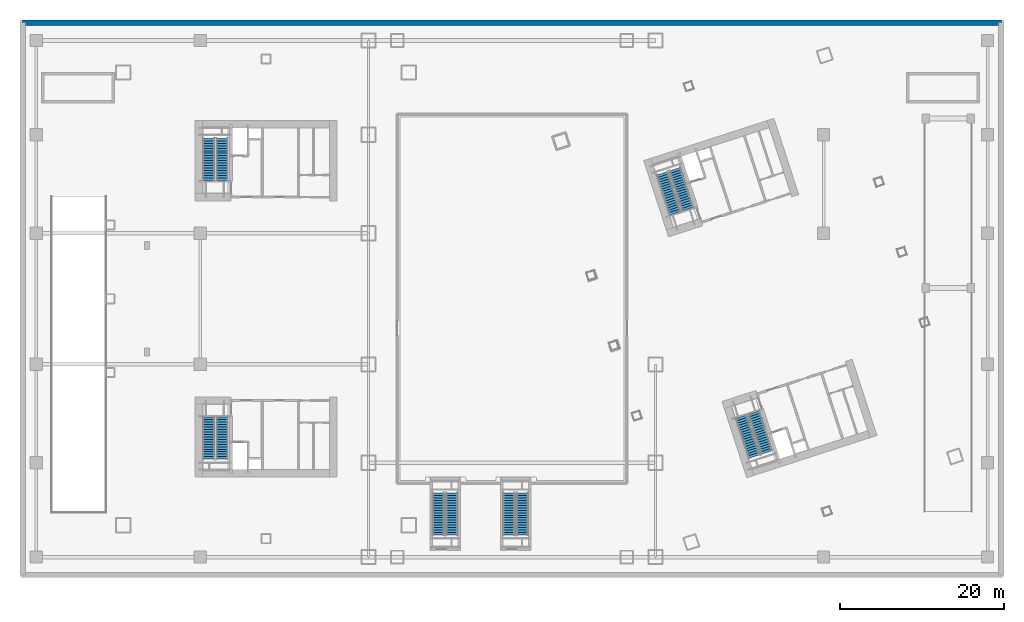
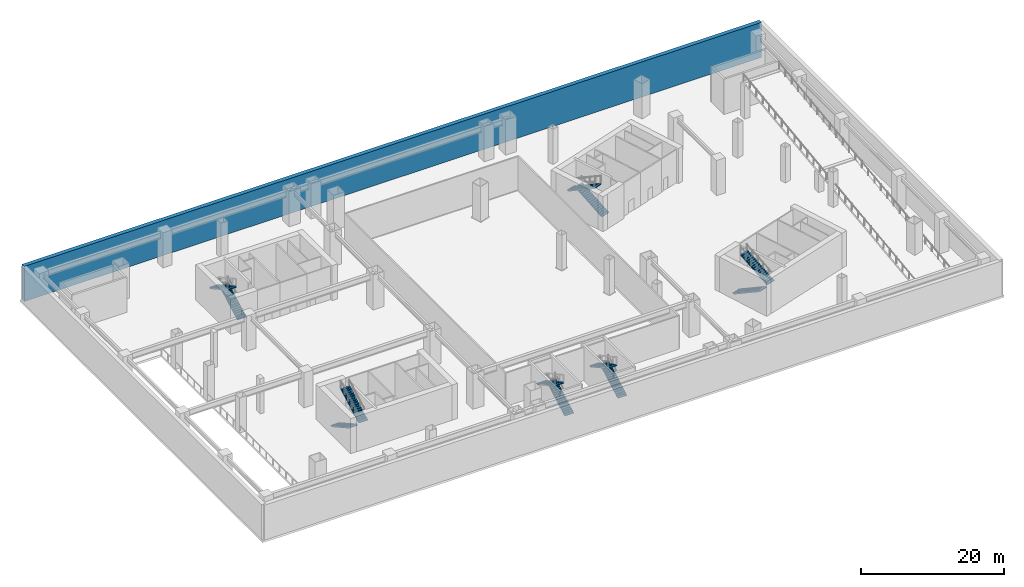
# One storey, part 11 of 20: 12 stair flights, 1 wall, 6 elements without a shape of their own.
"""IFC4 building model written with IfcOpenShell, lengths in metres."""

from ifc_helpers import new_model, si_unit, direction, frame, frame_2d, origin, place, context, subcontext, project, spatial, polyline, rectangle, outline, extrude, material, layer, layer_set, type_object, element, aggregate, save


model = new_model("IFC4")

# Units and contexts
model_context = context("Model", 3, precision=1e-05, world=origin(), true_north=direction((0.0, 1.0)))
body_context = subcontext(model_context, "Body", "Model", "MODEL_VIEW")
ifc_project = project(units=[si_unit("LENGTHUNIT", "METRE"), si_unit("AREAUNIT", "SQUARE_METRE"), si_unit("VOLUMEUNIT", "CUBIC_METRE"), si_unit("PLANEANGLEUNIT", "RADIAN"), si_unit("MASSUNIT", "GRAM", prefix="KILO")], contexts=[model_context])

# Site, building, storey
site_placement = place(None, origin())
site = spatial("IfcSite", under=ifc_project, at=site_placement, CompositionType="ELEMENT")
building_placement = place(site_placement, origin())
building = spatial("IfcBuilding", under=site, at=building_placement, Name="Qiaolan Cultural Towers", CompositionType="ELEMENT")
storey_placement = place(building_placement, frame((0.0, 0.0, -6.0)))
storey = spatial("IfcBuildingStorey", under=building, at=storey_placement, Name="B1", CompositionType="ELEMENT", Elevation=-6.0)

# Wall
ifc_material_1 = material(Name="Concrete C50", Category="concrete")
ifc_layer = layer(ifc_material_1, 0.64990234375)
ifc_layer_set = layer_set([ifc_layer], Name="Concrete C50")
wall_type = type_object("IfcWallType", Name="WL-RET-650", PredefinedType="SHEAR", material=ifc_layer_set)
wall_placement = place(storey_placement, frame((0.324951171875, 67.675048828125, 0.0), z_axis=(0.0, 0.0, 1.0), x_axis=(1.0, 0.0, 0.0)))
element("IfcWall", 1, at=wall_placement, inside=storey, type_object=wall_type, Name="B1 Basement Retaining Wall NORTH", PredefinedType="SHEAR", context=body_context, shape_type="SweptSolid", body=[
    extrude(rectangle(XDim=119.35009765625, YDim=0.64990234375, at=frame_2d((59.675048828125, 0.0))), origin(), (0.0, 0.0, 1.0), 6.0),
])

# Stair, stair flights
ifc_material_2 = material(Name="Concrete C45", Category="concrete")
stair_type_1 = type_object("IfcStairType", Name="STR-CORE-1500", PredefinedType="HALF_TURN_STAIR", material=ifc_material_2)
stair_1_placement = place(storey_placement, origin())
stair_1 = element("IfcStair", 2, at=stair_1_placement, inside=storey, type_object=stair_type_1, Name="B1 Smokeproof Exit Stair ST-W1", PredefinedType="HALF_TURN_STAIR")
ifc_material_3 = material(Name="Concrete C45", Category="concrete")
stair_flight_type_1 = type_object("IfcStairFlightType", Name="STR-CORE-1500-FL", PredefinedType="STRAIGHT", material=ifc_material_3)
stair_flight_1_placement = place(storey_placement, frame((23.02001953125, 19.550048828125, 0.0), z_axis=(0.0, 0.0, 1.0), x_axis=(0.0, -1.0, 0.0)))
stair_flight_1 = element("IfcStairFlight", 3, at=stair_flight_1_placement, type_object=stair_flight_type_1, Name="ST-W1 flight 1", NumberOfRisers=18, NumberOfTreads=17, PredefinedType="STRAIGHT", RiserHeight=0.166666667, TreadLength=0.3, context=body_context, shape_type="SweptSolid", body=[
    extrude(outline(polyline([(0.0, 0.0), (0.0, 0.166748046875), (0.300048828125, 0.166748046875), (0.300048828125, 0.333251953125), (0.60009765625, 0.333251953125), (0.60009765625, 0.5), (0.89990234375, 0.5), (0.89990234375, 0.666748046875), (1.199951171875, 0.666748046875), (1.199951171875, 0.833251953125), (1.5, 0.833251953125), (1.5, 1.0), (1.800048828125, 1.0), (1.800048828125, 1.166748046875), (2.10009765625, 1.166748046875), (2.10009765625, 1.333251953125), (2.39990234375, 1.333251953125), (2.39990234375, 1.5), (2.699951171875, 1.5), (2.699951171875, 1.666748046875), (3.0, 1.666748046875), (3.0, 1.833251953125), (3.300048828125, 1.833251953125), (3.300048828125, 2.0), (3.60009765625, 2.0), (3.60009765625, 2.166748046875), (3.89990234375, 2.166748046875), (3.89990234375, 2.333251953125), (4.199951171875, 2.333251953125), (4.199951171875, 2.5), (4.5, 2.5), (4.5, 2.666748046875), (4.800048828125, 2.666748046875), (4.800048828125, 2.833251953125), (5.10009765625, 2.833251953125), (5.10009765625, 3.0), (5.10009765625, 2.661865234375), (0.30859375, 0.0), (0.0, 0.0)])), frame((0.0, 0.719970703125, 0.0), z_axis=(0.0, -1.0, 0.0), x_axis=(1.0, 0.0, 0.0)), (0.0, 0.0, 1.0), 1.43994140625),
])
stair_flight_2_placement = place(storey_placement, frame((24.659912109375, 14.449951171875, 3.0), z_axis=(0.0, 0.0, 1.0), x_axis=(0.0, 1.0, 0.0)))
stair_flight_2 = element("IfcStairFlight", 4, at=stair_flight_2_placement, type_object=stair_flight_type_1, Name="ST-W1 flight 2", NumberOfRisers=18, NumberOfTreads=17, PredefinedType="STRAIGHT", RiserHeight=0.166666667, TreadLength=0.3, context=body_context, shape_type="SweptSolid", body=[
    extrude(outline(polyline([(0.0, 0.0), (0.0, 0.166748046875), (0.300048828125, 0.166748046875), (0.300048828125, 0.333251953125), (0.60009765625, 0.333251953125), (0.60009765625, 0.5), (0.89990234375, 0.5), (0.89990234375, 0.666748046875), (1.199951171875, 0.666748046875), (1.199951171875, 0.833251953125), (1.5, 0.833251953125), (1.5, 1.0), (1.800048828125, 1.0), (1.800048828125, 1.166748046875), (2.10009765625, 1.166748046875), (2.10009765625, 1.333251953125), (2.39990234375, 1.333251953125), (2.39990234375, 1.5), (2.699951171875, 1.5), (2.699951171875, 1.666748046875), (3.0, 1.666748046875), (3.0, 1.833251953125), (3.300048828125, 1.833251953125), (3.300048828125, 2.0), (3.60009765625, 2.0), (3.60009765625, 2.166748046875), (3.89990234375, 2.166748046875), (3.89990234375, 2.333251953125), (4.199951171875, 2.333251953125), (4.199951171875, 2.5), (4.5, 2.5), (4.5, 2.666748046875), (4.800048828125, 2.666748046875), (4.800048828125, 2.833251953125), (5.10009765625, 2.833251953125), (5.10009765625, 3.0), (5.10009765625, 2.661865234375), (0.30859375, 0.0), (0.0, 0.0)])), frame((0.0, 0.719970703125, 0.0), z_axis=(0.0, -1.0, 0.0), x_axis=(1.0, 0.0, 0.0)), (0.0, 0.0, 1.0), 1.43994140625),
])
aggregate(stair_1, [stair_flight_1, stair_flight_2])

stair_2_placement = place(storey_placement, origin())
stair_2 = element("IfcStair", 5, at=stair_2_placement, inside=storey, type_object=stair_type_1, Name="B1 Smokeproof Exit Stair ST-W2", PredefinedType="HALF_TURN_STAIR")
stair_flight_3_placement = place(storey_placement, frame((24.659912109375, 48.449951171875, 0.0), z_axis=(0.0, 0.0, 1.0), x_axis=(0.0, 1.0, 0.0)))
stair_flight_3 = element("IfcStairFlight", 6, at=stair_flight_3_placement, type_object=stair_flight_type_1, Name="ST-W2 flight 1", NumberOfRisers=18, NumberOfTreads=17, PredefinedType="STRAIGHT", RiserHeight=0.166666667, TreadLength=0.3, context=body_context, shape_type="SweptSolid", body=[
    extrude(outline(polyline([(0.0, 0.0), (0.0, 0.166748046875), (0.300048828125, 0.166748046875), (0.300048828125, 0.333251953125), (0.60009765625, 0.333251953125), (0.60009765625, 0.5), (0.89990234375, 0.5), (0.89990234375, 0.666748046875), (1.199951171875, 0.666748046875), (1.199951171875, 0.833251953125), (1.5, 0.833251953125), (1.5, 1.0), (1.800048828125, 1.0), (1.800048828125, 1.166748046875), (2.10009765625, 1.166748046875), (2.10009765625, 1.333251953125), (2.39990234375, 1.333251953125), (2.39990234375, 1.5), (2.699951171875, 1.5), (2.699951171875, 1.666748046875), (3.0, 1.666748046875), (3.0, 1.833251953125), (3.300048828125, 1.833251953125), (3.300048828125, 2.0), (3.60009765625, 2.0), (3.60009765625, 2.166748046875), (3.89990234375, 2.166748046875), (3.89990234375, 2.333251953125), (4.199951171875, 2.333251953125), (4.199951171875, 2.5), (4.5, 2.5), (4.5, 2.666748046875), (4.800048828125, 2.666748046875), (4.800048828125, 2.833251953125), (5.10009765625, 2.833251953125), (5.10009765625, 3.0), (5.10009765625, 2.661865234375), (0.30859375, 0.0), (0.0, 0.0)])), frame((0.0, 0.719970703125, 0.0), z_axis=(0.0, -1.0, 0.0), x_axis=(1.0, 0.0, 0.0)), (0.0, 0.0, 1.0), 1.43994140625),
])
stair_flight_4_placement = place(storey_placement, frame((23.02001953125, 53.550048828125, 3.0), z_axis=(0.0, 0.0, 1.0), x_axis=(0.0, -1.0, 0.0)))
stair_flight_4 = element("IfcStairFlight", 7, at=stair_flight_4_placement, type_object=stair_flight_type_1, Name="ST-W2 flight 2", NumberOfRisers=18, NumberOfTreads=17, PredefinedType="STRAIGHT", RiserHeight=0.166666667, TreadLength=0.3, context=body_context, shape_type="SweptSolid", body=[
    extrude(outline(polyline([(0.0, 0.0), (0.0, 0.166748046875), (0.300048828125, 0.166748046875), (0.300048828125, 0.333251953125), (0.60009765625, 0.333251953125), (0.60009765625, 0.5), (0.89990234375, 0.5), (0.89990234375, 0.666748046875), (1.199951171875, 0.666748046875), (1.199951171875, 0.833251953125), (1.5, 0.833251953125), (1.5, 1.0), (1.800048828125, 1.0), (1.800048828125, 1.166748046875), (2.10009765625, 1.166748046875), (2.10009765625, 1.333251953125), (2.39990234375, 1.333251953125), (2.39990234375, 1.5), (2.699951171875, 1.5), (2.699951171875, 1.666748046875), (3.0, 1.666748046875), (3.0, 1.833251953125), (3.300048828125, 1.833251953125), (3.300048828125, 2.0), (3.60009765625, 2.0), (3.60009765625, 2.166748046875), (3.89990234375, 2.166748046875), (3.89990234375, 2.333251953125), (4.199951171875, 2.333251953125), (4.199951171875, 2.5), (4.5, 2.5), (4.5, 2.666748046875), (4.800048828125, 2.666748046875), (4.800048828125, 2.833251953125), (5.10009765625, 2.833251953125), (5.10009765625, 3.0), (5.10009765625, 2.661865234375), (0.30859375, 0.0), (0.0, 0.0)])), frame((0.0, 0.719970703125, 0.0), z_axis=(0.0, -1.0, 0.0), x_axis=(1.0, 0.0, 0.0)), (0.0, 0.0, 1.0), 1.43994140625),
])
aggregate(stair_2, [stair_flight_3, stair_flight_4])

stair_3_placement = place(storey_placement, origin())
stair_3 = element("IfcStair", 8, at=stair_3_placement, inside=storey, type_object=stair_type_1, Name="B1 Smokeproof Exit Stair ST-E1", PredefinedType="HALF_TURN_STAIR")
stair_flight_5_placement = place(storey_placement, frame((87.96484375, 19.6171875, 0.0), z_axis=(0.0, 0.0, 1.0), x_axis=(0.309016994375, -0.951056516295, 0.0)))
stair_flight_5 = element("IfcStairFlight", 9, at=stair_flight_5_placement, type_object=stair_flight_type_1, Name="ST-E1 flight 1", NumberOfRisers=18, NumberOfTreads=17, PredefinedType="STRAIGHT", RiserHeight=0.166666667, TreadLength=0.3, context=body_context, shape_type="SweptSolid", body=[
    extrude(outline(polyline([(0.0, 0.0), (0.0, 0.166748046875), (0.300048828125, 0.166748046875), (0.300048828125, 0.333251953125), (0.60009765625, 0.333251953125), (0.60009765625, 0.5), (0.89990234375, 0.5), (0.89990234375, 0.666748046875), (1.199951171875, 0.666748046875), (1.199951171875, 0.833251953125), (1.5, 0.833251953125), (1.5, 1.0), (1.800048828125, 1.0), (1.800048828125, 1.166748046875), (2.10009765625, 1.166748046875), (2.10009765625, 1.333251953125), (2.39990234375, 1.333251953125), (2.39990234375, 1.5), (2.699951171875, 1.5), (2.699951171875, 1.666748046875), (3.0, 1.666748046875), (3.0, 1.833251953125), (3.300048828125, 1.833251953125), (3.300048828125, 2.0), (3.60009765625, 2.0), (3.60009765625, 2.166748046875), (3.89990234375, 2.166748046875), (3.89990234375, 2.333251953125), (4.199951171875, 2.333251953125), (4.199951171875, 2.5), (4.5, 2.5), (4.5, 2.666748046875), (4.800048828125, 2.666748046875), (4.800048828125, 2.833251953125), (5.10009765625, 2.833251953125), (5.10009765625, 3.0), (5.10009765625, 2.661865234375), (0.30859375, 0.0), (0.0, 0.0)])), frame((0.0, 0.719970703125, 0.0), z_axis=(0.0, -1.0, 0.0), x_axis=(1.0, 0.0, 0.0)), (0.0, 0.0, 1.0), 1.43994140625),
])
stair_flight_6_placement = place(storey_placement, frame((91.1005859375, 15.273681640625, 3.0), z_axis=(0.0, 0.0, 1.0), x_axis=(-0.309016994375, 0.951056516295, 0.0)))
stair_flight_6 = element("IfcStairFlight", 10, at=stair_flight_6_placement, type_object=stair_flight_type_1, Name="ST-E1 flight 2", NumberOfRisers=18, NumberOfTreads=17, PredefinedType="STRAIGHT", RiserHeight=0.166666667, TreadLength=0.3, context=body_context, shape_type="SweptSolid", body=[
    extrude(outline(polyline([(0.0, 0.0), (0.0, 0.166748046875), (0.300048828125, 0.166748046875), (0.300048828125, 0.333251953125), (0.60009765625, 0.333251953125), (0.60009765625, 0.5), (0.89990234375, 0.5), (0.89990234375, 0.666748046875), (1.199951171875, 0.666748046875), (1.199951171875, 0.833251953125), (1.5, 0.833251953125), (1.5, 1.0), (1.800048828125, 1.0), (1.800048828125, 1.166748046875), (2.10009765625, 1.166748046875), (2.10009765625, 1.333251953125), (2.39990234375, 1.333251953125), (2.39990234375, 1.5), (2.699951171875, 1.5), (2.699951171875, 1.666748046875), (3.0, 1.666748046875), (3.0, 1.833251953125), (3.300048828125, 1.833251953125), (3.300048828125, 2.0), (3.60009765625, 2.0), (3.60009765625, 2.166748046875), (3.89990234375, 2.166748046875), (3.89990234375, 2.333251953125), (4.199951171875, 2.333251953125), (4.199951171875, 2.5), (4.5, 2.5), (4.5, 2.666748046875), (4.800048828125, 2.666748046875), (4.800048828125, 2.833251953125), (5.10009765625, 2.833251953125), (5.10009765625, 3.0), (5.10009765625, 2.661865234375), (0.30859375, 0.0), (0.0, 0.0)])), frame((0.0, 0.719970703125, 0.0), z_axis=(0.0, -1.0, 0.0), x_axis=(1.0, 0.0, 0.0)), (0.0, 0.0, 1.0), 1.43994140625),
])
aggregate(stair_3, [stair_flight_5, stair_flight_6])

stair_4_placement = place(storey_placement, origin())
stair_4 = element("IfcStair", 11, at=stair_4_placement, inside=storey, type_object=stair_type_1, Name="B1 Smokeproof Exit Stair ST-E2", PredefinedType="HALF_TURN_STAIR")
stair_flight_7_placement = place(storey_placement, frame((81.459228515625, 44.946533203125, 0.0), z_axis=(0.0, 0.0, 1.0), x_axis=(-0.309016994375, 0.951056516295, 0.0)))
stair_flight_7 = element("IfcStairFlight", 12, at=stair_flight_7_placement, type_object=stair_flight_type_1, Name="ST-E2 flight 1", NumberOfRisers=18, NumberOfTreads=17, PredefinedType="STRAIGHT", RiserHeight=0.166666667, TreadLength=0.3, context=body_context, shape_type="SweptSolid", body=[
    extrude(outline(polyline([(0.0, 0.0), (0.0, 0.166748046875), (0.300048828125, 0.166748046875), (0.300048828125, 0.333251953125), (0.60009765625, 0.333251953125), (0.60009765625, 0.5), (0.89990234375, 0.5), (0.89990234375, 0.666748046875), (1.199951171875, 0.666748046875), (1.199951171875, 0.833251953125), (1.5, 0.833251953125), (1.5, 1.0), (1.800048828125, 1.0), (1.800048828125, 1.166748046875), (2.10009765625, 1.166748046875), (2.10009765625, 1.333251953125), (2.39990234375, 1.333251953125), (2.39990234375, 1.5), (2.699951171875, 1.5), (2.699951171875, 1.666748046875), (3.0, 1.666748046875), (3.0, 1.833251953125), (3.300048828125, 1.833251953125), (3.300048828125, 2.0), (3.60009765625, 2.0), (3.60009765625, 2.166748046875), (3.89990234375, 2.166748046875), (3.89990234375, 2.333251953125), (4.199951171875, 2.333251953125), (4.199951171875, 2.5), (4.5, 2.5), (4.5, 2.666748046875), (4.800048828125, 2.666748046875), (4.800048828125, 2.833251953125), (5.10009765625, 2.833251953125), (5.10009765625, 3.0), (5.10009765625, 2.661865234375), (0.30859375, 0.0), (0.0, 0.0)])), frame((0.0, 0.719970703125, 0.0), z_axis=(0.0, -1.0, 0.0), x_axis=(1.0, 0.0, 0.0)), (0.0, 0.0, 1.0), 1.43994140625),
])
stair_flight_8_placement = place(storey_placement, frame((78.323486328125, 49.2900390625, 3.0), z_axis=(0.0, 0.0, 1.0), x_axis=(0.309016994375, -0.951056516295, 0.0)))
stair_flight_8 = element("IfcStairFlight", 13, at=stair_flight_8_placement, type_object=stair_flight_type_1, Name="ST-E2 flight 2", NumberOfRisers=18, NumberOfTreads=17, PredefinedType="STRAIGHT", RiserHeight=0.166666667, TreadLength=0.3, context=body_context, shape_type="SweptSolid", body=[
    extrude(outline(polyline([(0.0, 0.0), (0.0, 0.166748046875), (0.300048828125, 0.166748046875), (0.300048828125, 0.333251953125), (0.60009765625, 0.333251953125), (0.60009765625, 0.5), (0.89990234375, 0.5), (0.89990234375, 0.666748046875), (1.199951171875, 0.666748046875), (1.199951171875, 0.833251953125), (1.5, 0.833251953125), (1.5, 1.0), (1.800048828125, 1.0), (1.800048828125, 1.166748046875), (2.10009765625, 1.166748046875), (2.10009765625, 1.333251953125), (2.39990234375, 1.333251953125), (2.39990234375, 1.5), (2.699951171875, 1.5), (2.699951171875, 1.666748046875), (3.0, 1.666748046875), (3.0, 1.833251953125), (3.300048828125, 1.833251953125), (3.300048828125, 2.0), (3.60009765625, 2.0), (3.60009765625, 2.166748046875), (3.89990234375, 2.166748046875), (3.89990234375, 2.333251953125), (4.199951171875, 2.333251953125), (4.199951171875, 2.5), (4.5, 2.5), (4.5, 2.666748046875), (4.800048828125, 2.666748046875), (4.800048828125, 2.833251953125), (5.10009765625, 2.833251953125), (5.10009765625, 3.0), (5.10009765625, 2.661865234375), (0.30859375, 0.0), (0.0, 0.0)])), frame((0.0, 0.719970703125, 0.0), z_axis=(0.0, -1.0, 0.0), x_axis=(1.0, 0.0, 0.0)), (0.0, 0.0, 1.0), 1.43994140625),
])
aggregate(stair_4, [stair_flight_7, stair_flight_8])

ifc_material_4 = material(Name="Concrete C45", Category="concrete")
stair_type_2 = type_object("IfcStairType", Name="STR-MET-1800", PredefinedType="HALF_TURN_STAIR", material=ifc_material_4)
stair_5_placement = place(storey_placement, origin())
stair_5 = element("IfcStair", 14, at=stair_5_placement, inside=storey, type_object=stair_type_2, Name="B1 Metro Concourse West Exit Stair ST-M1", PredefinedType="HALF_TURN_STAIR")
ifc_material_5 = material(Name="Concrete C45", Category="concrete")
stair_flight_type_2 = type_object("IfcStairFlightType", Name="STR-MET-1800-FL", PredefinedType="STRAIGHT", material=ifc_material_5)
stair_flight_9_placement = place(storey_placement, frame((52.675048828125, 5.199951171875, 0.0), z_axis=(0.0, 0.0, 1.0), x_axis=(0.0, 1.0, 0.0)))
stair_flight_9 = element("IfcStairFlight", 15, at=stair_flight_9_placement, type_object=stair_flight_type_2, Name="ST-M1 flight 1", NumberOfRisers=18, NumberOfTreads=17, PredefinedType="STRAIGHT", RiserHeight=0.166666667, TreadLength=0.3, context=body_context, shape_type="SweptSolid", body=[
    extrude(outline(polyline([(0.0, 0.0), (0.0, 0.166748046875), (0.300048828125, 0.166748046875), (0.300048828125, 0.333251953125), (0.60009765625, 0.333251953125), (0.60009765625, 0.5), (0.89990234375, 0.5), (0.89990234375, 0.666748046875), (1.199951171875, 0.666748046875), (1.199951171875, 0.833251953125), (1.5, 0.833251953125), (1.5, 1.0), (1.800048828125, 1.0), (1.800048828125, 1.166748046875), (2.10009765625, 1.166748046875), (2.10009765625, 1.333251953125), (2.39990234375, 1.333251953125), (2.39990234375, 1.5), (2.699951171875, 1.5), (2.699951171875, 1.666748046875), (3.0, 1.666748046875), (3.0, 1.833251953125), (3.300048828125, 1.833251953125), (3.300048828125, 2.0), (3.60009765625, 2.0), (3.60009765625, 2.166748046875), (3.89990234375, 2.166748046875), (3.89990234375, 2.333251953125), (4.199951171875, 2.333251953125), (4.199951171875, 2.5), (4.5, 2.5), (4.5, 2.666748046875), (4.800048828125, 2.666748046875), (4.800048828125, 2.833251953125), (5.10009765625, 2.833251953125), (5.10009765625, 3.0), (5.10009765625, 2.661865234375), (0.30859375, 0.0), (0.0, 0.0)])), frame((0.0, 0.72509765625, 0.0), z_axis=(0.0, -1.0, 0.0), x_axis=(1.0, 0.0, 0.0)), (0.0, 0.0, 1.0), 1.449951171875),
])
stair_flight_10_placement = place(storey_placement, frame((51.02490234375, 10.300048828125, 3.0), z_axis=(0.0, 0.0, 1.0), x_axis=(0.0, -1.0, 0.0)))
stair_flight_10 = element("IfcStairFlight", 16, at=stair_flight_10_placement, type_object=stair_flight_type_2, Name="ST-M1 flight 2", NumberOfRisers=18, NumberOfTreads=17, PredefinedType="STRAIGHT", RiserHeight=0.166666667, TreadLength=0.3, context=body_context, shape_type="SweptSolid", body=[
    extrude(outline(polyline([(0.0, 0.0), (0.0, 0.166748046875), (0.300048828125, 0.166748046875), (0.300048828125, 0.333251953125), (0.60009765625, 0.333251953125), (0.60009765625, 0.5), (0.89990234375, 0.5), (0.89990234375, 0.666748046875), (1.199951171875, 0.666748046875), (1.199951171875, 0.833251953125), (1.5, 0.833251953125), (1.5, 1.0), (1.800048828125, 1.0), (1.800048828125, 1.166748046875), (2.10009765625, 1.166748046875), (2.10009765625, 1.333251953125), (2.39990234375, 1.333251953125), (2.39990234375, 1.5), (2.699951171875, 1.5), (2.699951171875, 1.666748046875), (3.0, 1.666748046875), (3.0, 1.833251953125), (3.300048828125, 1.833251953125), (3.300048828125, 2.0), (3.60009765625, 2.0), (3.60009765625, 2.166748046875), (3.89990234375, 2.166748046875), (3.89990234375, 2.333251953125), (4.199951171875, 2.333251953125), (4.199951171875, 2.5), (4.5, 2.5), (4.5, 2.666748046875), (4.800048828125, 2.666748046875), (4.800048828125, 2.833251953125), (5.10009765625, 2.833251953125), (5.10009765625, 3.0), (5.10009765625, 2.661865234375), (0.30859375, 0.0), (0.0, 0.0)])), frame((0.0, 0.72509765625, 0.0), z_axis=(0.0, -1.0, 0.0), x_axis=(1.0, 0.0, 0.0)), (0.0, 0.0, 1.0), 1.449951171875),
])
aggregate(stair_5, [stair_flight_9, stair_flight_10])

stair_6_placement = place(storey_placement, origin())
stair_6 = element("IfcStair", 17, at=stair_6_placement, inside=storey, type_object=stair_type_2, Name="B1 Metro Concourse East Exit Stair ST-M2", PredefinedType="HALF_TURN_STAIR")
stair_flight_11_placement = place(storey_placement, frame((61.27490234375, 5.199951171875, 0.0), z_axis=(0.0, 0.0, 1.0), x_axis=(0.0, 1.0, 0.0)))
stair_flight_11 = element("IfcStairFlight", 18, at=stair_flight_11_placement, type_object=stair_flight_type_2, Name="ST-M2 flight 1", NumberOfRisers=18, NumberOfTreads=17, PredefinedType="STRAIGHT", RiserHeight=0.166666667, TreadLength=0.3, context=body_context, shape_type="SweptSolid", body=[
    extrude(outline(polyline([(0.0, 0.0), (0.0, 0.166748046875), (0.300048828125, 0.166748046875), (0.300048828125, 0.333251953125), (0.60009765625, 0.333251953125), (0.60009765625, 0.5), (0.89990234375, 0.5), (0.89990234375, 0.666748046875), (1.199951171875, 0.666748046875), (1.199951171875, 0.833251953125), (1.5, 0.833251953125), (1.5, 1.0), (1.800048828125, 1.0), (1.800048828125, 1.166748046875), (2.10009765625, 1.166748046875), (2.10009765625, 1.333251953125), (2.39990234375, 1.333251953125), (2.39990234375, 1.5), (2.699951171875, 1.5), (2.699951171875, 1.666748046875), (3.0, 1.666748046875), (3.0, 1.833251953125), (3.300048828125, 1.833251953125), (3.300048828125, 2.0), (3.60009765625, 2.0), (3.60009765625, 2.166748046875), (3.89990234375, 2.166748046875), (3.89990234375, 2.333251953125), (4.199951171875, 2.333251953125), (4.199951171875, 2.5), (4.5, 2.5), (4.5, 2.666748046875), (4.800048828125, 2.666748046875), (4.800048828125, 2.833251953125), (5.10009765625, 2.833251953125), (5.10009765625, 3.0), (5.10009765625, 2.661865234375), (0.30859375, 0.0), (0.0, 0.0)])), frame((0.0, 0.72509765625, 0.0), z_axis=(0.0, -1.0, 0.0), x_axis=(1.0, 0.0, 0.0)), (0.0, 0.0, 1.0), 1.449951171875),
])
stair_flight_12_placement = place(storey_placement, frame((59.625, 10.300048828125, 3.0), z_axis=(0.0, 0.0, 1.0), x_axis=(0.0, -1.0, 0.0)))
stair_flight_12 = element("IfcStairFlight", 19, at=stair_flight_12_placement, type_object=stair_flight_type_2, Name="ST-M2 flight 2", NumberOfRisers=18, NumberOfTreads=17, PredefinedType="STRAIGHT", RiserHeight=0.166666667, TreadLength=0.3, context=body_context, shape_type="SweptSolid", body=[
    extrude(outline(polyline([(0.0, 0.0), (0.0, 0.166748046875), (0.300048828125, 0.166748046875), (0.300048828125, 0.333251953125), (0.60009765625, 0.333251953125), (0.60009765625, 0.5), (0.89990234375, 0.5), (0.89990234375, 0.666748046875), (1.199951171875, 0.666748046875), (1.199951171875, 0.833251953125), (1.5, 0.833251953125), (1.5, 1.0), (1.800048828125, 1.0), (1.800048828125, 1.166748046875), (2.10009765625, 1.166748046875), (2.10009765625, 1.333251953125), (2.39990234375, 1.333251953125), (2.39990234375, 1.5), (2.699951171875, 1.5), (2.699951171875, 1.666748046875), (3.0, 1.666748046875), (3.0, 1.833251953125), (3.300048828125, 1.833251953125), (3.300048828125, 2.0), (3.60009765625, 2.0), (3.60009765625, 2.166748046875), (3.89990234375, 2.166748046875), (3.89990234375, 2.333251953125), (4.199951171875, 2.333251953125), (4.199951171875, 2.5), (4.5, 2.5), (4.5, 2.666748046875), (4.800048828125, 2.666748046875), (4.800048828125, 2.833251953125), (5.10009765625, 2.833251953125), (5.10009765625, 3.0), (5.10009765625, 2.661865234375), (0.30859375, 0.0), (0.0, 0.0)])), frame((0.0, 0.72509765625, 0.0), z_axis=(0.0, -1.0, 0.0), x_axis=(1.0, 0.0, 0.0)), (0.0, 0.0, 1.0), 1.449951171875),
])
aggregate(stair_6, [stair_flight_11, stair_flight_12])

save(model, "model.ifc")
